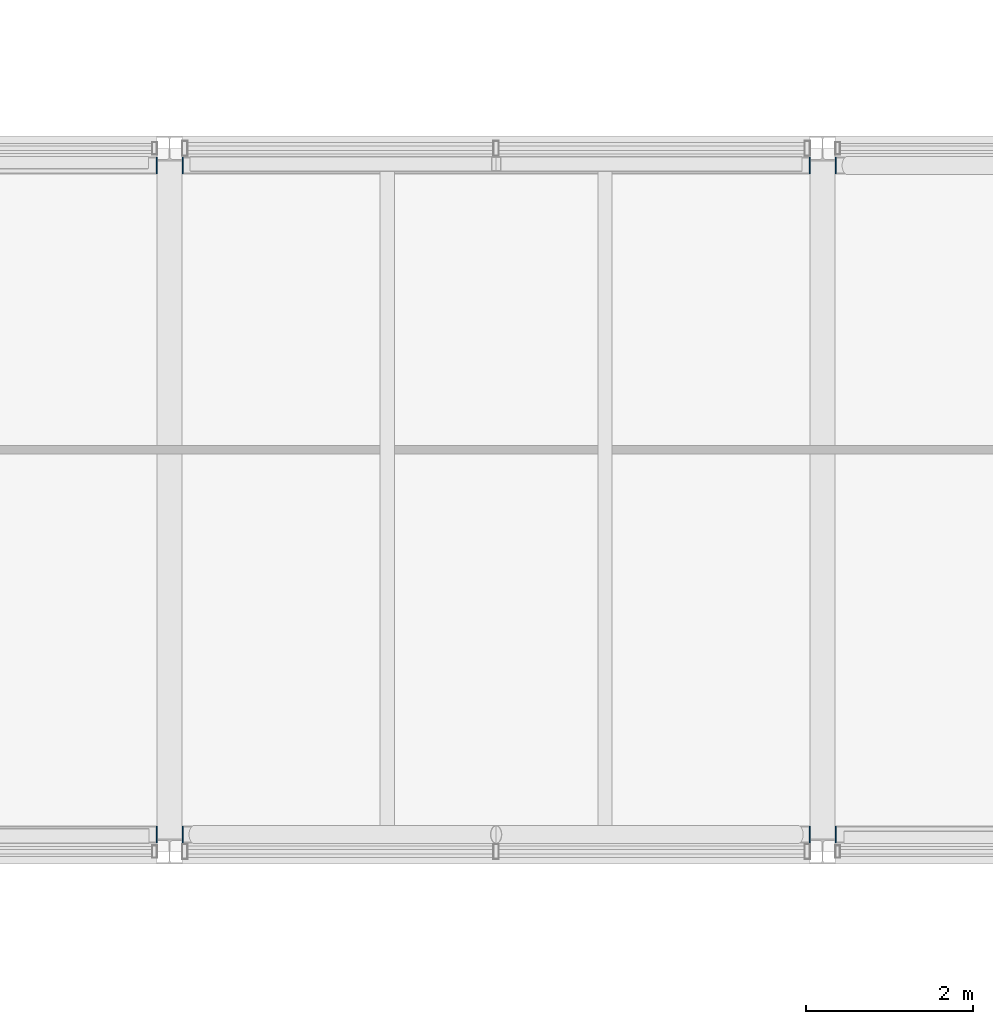
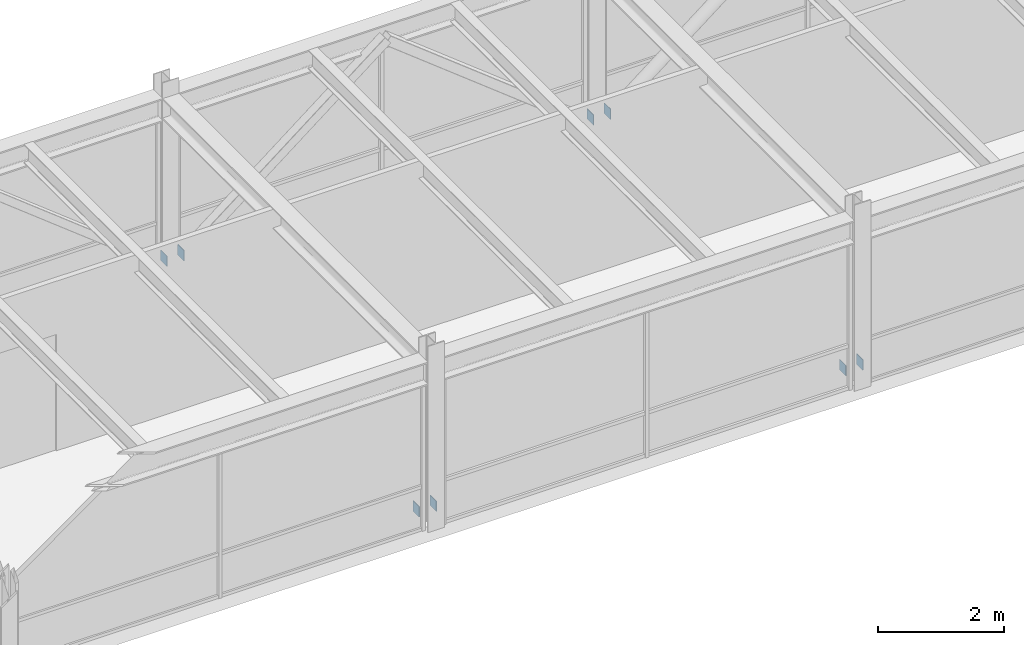
# One storey, part 35 of 49: 8 plates.
"""IFC4 building model written with IfcOpenShell, lengths in metres."""

from ifc_helpers import new_model, si_unit, direction, frame, origin, origin_2d, place, context, subcontext, project, spatial, rectangle, extrude, material, layer, layer_set, type_object, element, save


model = new_model("IFC4")

# Units and contexts
model_context = context("Model", 3, precision=1e-05, world=origin(), true_north=direction((0.0, 1.0)))
body_context = subcontext(model_context, "Body", "Model", "MODEL_VIEW")
ifc_project = project(units=[si_unit("LENGTHUNIT", "METRE"), si_unit("AREAUNIT", "SQUARE_METRE"), si_unit("VOLUMEUNIT", "CUBIC_METRE"), si_unit("PLANEANGLEUNIT", "RADIAN"), si_unit("MASSUNIT", "GRAM", prefix="KILO"), si_unit("THERMODYNAMICTEMPERATUREUNIT", "KELVIN"), si_unit("POWERUNIT", "WATT")], contexts=[model_context])

# Site, building, storey
site_placement = place(None, origin())
site = spatial("IfcSite", under=ifc_project, at=site_placement, CompositionType="ELEMENT")
building_placement = place(site_placement, origin())
building = spatial("IfcBuilding", under=site, at=building_placement, Name="Srebrne Nadtorze General Hospital", CompositionType="ELEMENT")
storey_placement = place(building_placement, frame((0.0, 0.0, 26.10009765625)))
storey = spatial("IfcBuildingStorey", under=building, at=storey_placement, Name="L06", CompositionType="ELEMENT", Elevation=26.10009765625)

# Plates
ifc_material = material(Name="Steel S355J2", Category="steel")
ifc_layer = layer(ifc_material, 0.011962890625)
ifc_layer_set = layer_set([ifc_layer], Name="Steel S355J2")
plate_type = type_object("IfcPlateType", Name="Steel bearing plate 12", PredefinedType="SHEET", material=ifc_layer_set)
for number, where, z_axis, x_axis, name in (
    (1, (77.843994140625, 50.60498046875, 0.14990234375), (0.0, 0.0, 1.0), (1.0, 0.0, 0.0), "Clinical courtyard bridge truss chord end plate 15-2"),
    (2, (78.156005859375, 50.60498046875, 0.14990234375), (0.0, 0.0, 1.0), (1.0, 0.0, 0.0), "Clinical courtyard bridge truss chord end plate 16-1"),
    (3, (85.64404296875, 50.60498046875, 0.14990234375), (0.0, 0.0, 1.0), (1.0, 0.0, 0.0), "Clinical courtyard bridge truss chord end plate 16-2"),
    (4, (85.9560546875, 50.60498046875, 0.14990234375), (0.0, 0.0, 1.0), (1.0, 0.0, 0.0), "Clinical courtyard bridge truss chord end plate 17-1"),
    (5, (77.843994140625, 58.594970703125, 0.14990234375), (0.0, 0.0, 1.0), (1.0, 0.0, 0.0), "Clinical courtyard bridge truss chord end plate 21-2"),
    (6, (78.156005859375, 58.594970703125, 0.14990234375), (0.0, 0.0, 1.0), (1.0, 0.0, 0.0), "Clinical courtyard bridge truss chord end plate 22-1"),
    (7, (85.64404296875, 58.594970703125, 0.14990234375), (0.0, 0.0, 1.0), (1.0, 0.0, 0.0), "Clinical courtyard bridge truss chord end plate 22-2"),
    (8, (85.9560546875, 58.594970703125, 0.14990234375), (0.0, 0.0, 1.0), (1.0, 0.0, 0.0), "Clinical courtyard bridge truss chord end plate 23-1"),
):
    element("IfcPlate", number, at=place(storey_placement, frame(where, z_axis=z_axis, x_axis=x_axis)), inside=storey, type_object=plate_type, Name=name, PredefinedType="SHEET", context=body_context, shape_type="SweptSolid", body=[
        extrude(rectangle(XDim=0.011962890625, YDim=0.199951171875, at=origin_2d()), origin(), (0.0, 0.0, 1.0), 0.199951171875),
    ])

save(model, "model.ifc")
